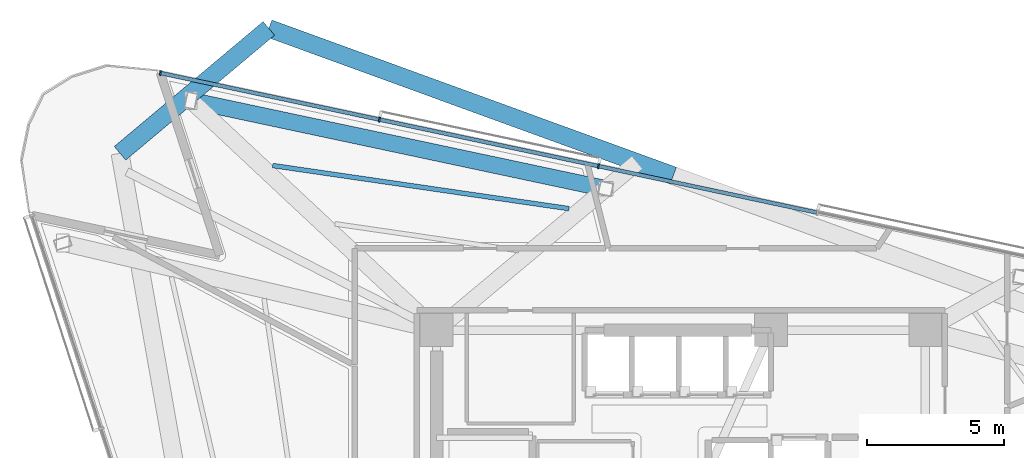
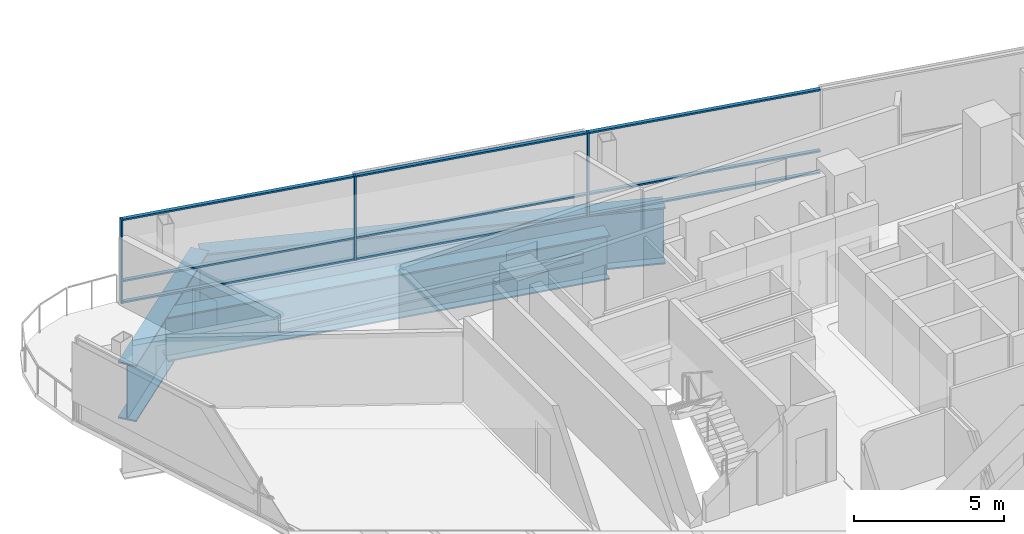
# One storey, part 7 of 17: 12 members, 4 beams, 1 element without a shape of its own.
"""IFC4 building model written with IfcOpenShell, lengths in metres."""

import ifcopenshell
import ifcopenshell.guid

model = None  # the IFC model being written
_history = None  # IfcOwnerHistory: only IFC2X3 demands one
_inside = {}  # id of a spatial element -> (the spatial element, [elements in it])
_under = {}  # id of a project, library or spatial element -> (it, [spatial elements below it])
_declared = {}  # id of a project -> (the project, [libraries it declares])
_typed = {}  # id of a type object -> (the type object, [elements of that type])
_made_of = {}  # id of a material, layer set ... -> (it, [elements and type objects made of it])


def new_model(schema):
    """Start an empty IFC model of exactly this schema.

    Asked for "IFC4X3", IfcOpenShell would pick the latest addendum, in which some entities
    have other attributes; the version numbers below select the first issue.
    IFC2X3 requires an IfcOwnerHistory on every rooted entity: one is made here for all.
    """
    global model, _history
    if schema == "IFC4X3":
        model = ifcopenshell.file(schema_version=(4, 3, 0, 0))
    else:
        model = ifcopenshell.file(schema=schema)
    _inside.clear()
    _under.clear()
    _declared.clear()
    _typed.clear()
    _made_of.clear()
    _history = None
    if model.schema == "IFC2X3":
        org = make("IfcOrganization", Name="unknown")
        user = make(
            "IfcPersonAndOrganization",
            ThePerson=make("IfcPerson", FamilyName="unknown"),
            TheOrganization=org,
        )
        app = make(
            "IfcApplication",
            ApplicationDeveloper=org,
            Version="unknown",
            ApplicationFullName="unknown",
            ApplicationIdentifier="unknown",
        )
        _history = make(
            "IfcOwnerHistory",
            OwningUser=user,
            OwningApplication=app,
            ChangeAction="ADDED",
            CreationDate=0,
        )
    return model


def make(cls, **values):
    """One entity of the class cls with the attributes given. An attribute that is None is left unset."""
    return model.create_entity(
        cls, **{name: value for name, value in values.items() if value is not None}
    )


def rooted(cls, **values):
    """An entity with a GlobalId (a new one), such as an element, a storey or a relation."""
    return make(cls, GlobalId=ifcopenshell.guid.new(), OwnerHistory=_history, **values)


def si_unit(unit_type, name, prefix=None):
    """IfcSIUnit, for example si_unit("LENGTHUNIT", "METRE", prefix="MILLI")."""
    return make("IfcSIUnit", UnitType=unit_type, Prefix=prefix, Name=name)


def assignment(units):
    """IfcUnitAssignment: the units of a project."""
    return None if units is None else make("IfcUnitAssignment", Units=units)


def point(xyz):
    """IfcCartesianPoint."""
    return None if xyz is None else make("IfcCartesianPoint", Coordinates=xyz)


def direction(xyz):
    """IfcDirection."""
    return None if xyz is None else make("IfcDirection", DirectionRatios=xyz)


def frame(location, z_axis=None, x_axis=None):
    """IfcAxis2Placement3D, a coordinate frame: its origin and axes. An axis left out is left unset."""
    return make(
        "IfcAxis2Placement3D",
        Location=point(location),
        Axis=direction(z_axis),
        RefDirection=direction(x_axis),
    )


def frame_2d(location, x_axis=None):
    """IfcAxis2Placement2D, a coordinate frame in the plane: its origin and x axis."""
    return make(
        "IfcAxis2Placement2D", Location=point(location), RefDirection=direction(x_axis)
    )


def origin():
    """The frame at (0, 0, 0) with its axes left unset."""
    return frame((0.0, 0.0, 0.0))


def origin_2d():
    """The frame at (0, 0) in the plane with its x axis left unset."""
    return frame_2d((0.0, 0.0))


def place(relative_to, where):
    """IfcLocalPlacement: puts the frame where relative to a parent placement (None: the world)."""
    return make(
        "IfcLocalPlacement", PlacementRelTo=relative_to, RelativePlacement=where
    )


def context(
    kind, dimensions, precision=None, world=None, true_north=None, identifier=None
):
    """IfcGeometricRepresentationContext, for example the 3D "Model" context."""
    return make(
        "IfcGeometricRepresentationContext",
        ContextIdentifier=identifier,
        ContextType=kind,
        CoordinateSpaceDimension=dimensions,
        Precision=precision,
        WorldCoordinateSystem=world,
        TrueNorth=true_north,
    )


def subcontext(parent, identifier, kind, view, scale=None):
    """IfcGeometricRepresentationSubContext, for example "Body" below "Model"."""
    return make(
        "IfcGeometricRepresentationSubContext",
        ContextIdentifier=identifier,
        ContextType=kind,
        ParentContext=parent,
        TargetScale=scale,
        TargetView=view,
    )


def project(units=None, contexts=None):
    """IfcProject with its units and contexts."""
    return rooted(
        "IfcProject",
        Name="project",
        RepresentationContexts=contexts,
        UnitsInContext=assignment(units),
    )


def spatial(cls, under=None, at=None, **own):
    """A site, building, storey or space (cls), placed at a placement, below another one or the project."""
    s = rooted(cls, ObjectPlacement=at, **own)
    if under is not None:
        _under.setdefault(under.id(), (under, []))[1].append(s)
    return s


def profile(cls, at=None, kind="AREA", **sizes):
    """A parametric profile (cls). Its sizes go by their IFC names, for example OverallWidth=200.0."""
    return make(cls, ProfileType=kind, Position=at, **sizes)


def rectangle(**sizes):
    """IfcRectangleProfileDef."""
    return profile("IfcRectangleProfileDef", **sizes)


def i_section(**sizes):
    """IfcIShapeProfileDef."""
    return profile("IfcIShapeProfileDef", **sizes)


def extrude(swept, where, along, depth):
    """IfcExtrudedAreaSolid: the profile swept, set in the frame where, extruded along a direction by depth."""
    return make(
        "IfcExtrudedAreaSolid",
        SweptArea=swept,
        Position=where,
        ExtrudedDirection=direction(along),
        Depth=depth,
    )


def shape(context_of_items, identifier, shape_type, items):
    """IfcShapeRepresentation: the items that make up one representation, for example the "Body"."""
    return make(
        "IfcShapeRepresentation",
        ContextOfItems=context_of_items,
        RepresentationIdentifier=identifier,
        RepresentationType=shape_type,
        Items=items,
    )


def material(Name=None, Category=None):
    """IfcMaterial."""
    return make("IfcMaterial", Name=Name, Category=Category)


def layer(
    of_material, thickness, ventilated=None, Name=None, Category=None, Priority=None
):
    """IfcMaterialLayer: one layer of a wall or slab, of a material (None: an air gap)."""
    return make(
        "IfcMaterialLayer",
        Material=of_material,
        LayerThickness=thickness,
        IsVentilated=ventilated,
        Name=Name,
        Category=Category,
        Priority=Priority,
    )


def layer_set(layers, Name=None):
    """IfcMaterialLayerSet."""
    return make("IfcMaterialLayerSet", MaterialLayers=layers, LayerSetName=Name)


def material_profile(
    of_material, cross_section, Name=None, Category=None, Priority=None
):
    """IfcMaterialProfile: a cross section and its material."""
    return make(
        "IfcMaterialProfile",
        Name=Name,
        Material=of_material,
        Profile=cross_section,
        Priority=Priority,
        Category=Category,
    )


def profile_set(profiles, Name=None, composite=None):
    """IfcMaterialProfileSet."""
    return make(
        "IfcMaterialProfileSet",
        Name=Name,
        MaterialProfiles=profiles,
        CompositeProfile=composite,
    )


def made_of(thing, what):
    """Note that an element or type object is made of a material, layer set ...; save() writes the relation."""
    if what is not None:
        _made_of.setdefault(what.id(), (what, []))[1].append(thing)
    return thing


def type_object(cls, material=None, **own):
    """A type object (cls), such as IfcWallType, which elements share."""
    return made_of(rooted(cls, **own), material)


def element(
    cls,
    number,
    at=None,
    inside=None,
    cuts=None,
    type_object=None,
    material=None,
    context=None,
    identifier="Body",
    shape_type=None,
    held_by="IfcProductDefinitionShape",
    body=None,
    shapes=None,
    **own,
):
    """One element of the class cls, such as IfcWall. Its Tag is "e" and its number.

    at: its placement. inside: the storey or other place that contains it. cuts: it is an
    opening in that element (IfcRelVoidsElement). A single representation is given by context,
    identifier, shape_type and body (its items); several are given by shapes. held_by: the class
    of the entity that holds the representations. save() writes the other relations.
    """
    e = rooted(cls, Tag="e%d" % number, ObjectPlacement=at, **own)
    if body is not None:
        shapes = [shape(context, identifier, shape_type, body)]
    if shapes is not None:
        e.Representation = make(held_by, Representations=shapes)
    if inside is not None:
        _inside.setdefault(inside.id(), (inside, []))[1].append(e)
    if cuts is not None:
        rooted(
            "IfcRelVoidsElement", RelatingBuildingElement=cuts, RelatedOpeningElement=e
        )
    if type_object is not None:
        _typed.setdefault(type_object.id(), (type_object, []))[1].append(e)
    return made_of(e, material)


def aggregate(whole, parts):
    """IfcRelAggregates: a whole, such as a stair, and the parts it consists of."""
    return rooted("IfcRelAggregates", RelatingObject=whole, RelatedObjects=parts)


def save(model, path):
    """Write the relations noted so far, then the file.

    IfcRelAggregates (storeys below a building ...), IfcRelContainedInSpatialStructure (elements
    in a storey), IfcRelDefinesByType, IfcRelAssociatesMaterial and IfcRelDeclares: one each for
    every whole, place, type object, material and project.
    """
    for whole, parts in _under.values():
        aggregate(whole, parts)
    for where, things in _inside.values():
        rooted(
            "IfcRelContainedInSpatialStructure",
            RelatedElements=things,
            RelatingStructure=where,
        )
    for kind, things in _typed.values():
        rooted("IfcRelDefinesByType", RelatedObjects=things, RelatingType=kind)
    for what, things in _made_of.values():
        rooted("IfcRelAssociatesMaterial", RelatedObjects=things, RelatingMaterial=what)
    for by, libraries in _declared.values():
        rooted("IfcRelDeclares", RelatingContext=by, RelatedDefinitions=libraries)
    model.write(path)


model = new_model("IFC4")

# Units and contexts
model_context = context("Model", 3, precision=1e-05, world=origin(), true_north=direction((0.0, 1.0)))
body_context = subcontext(model_context, "Body", "Model", "MODEL_VIEW")
ifc_project = project(units=[si_unit("LENGTHUNIT", "METRE"), si_unit("AREAUNIT", "SQUARE_METRE"), si_unit("VOLUMEUNIT", "CUBIC_METRE"), si_unit("PLANEANGLEUNIT", "RADIAN"), si_unit("MASSUNIT", "GRAM", prefix="KILO")], contexts=[model_context])

# Site, building, storey
site_placement = place(None, origin())
site = spatial("IfcSite", under=ifc_project, at=site_placement, CompositionType="ELEMENT")
building_placement = place(site_placement, origin())
building = spatial("IfcBuilding", under=site, at=building_placement, Name="Tharavind Bronze Gate", CompositionType="ELEMENT")
storey_placement = place(building_placement, frame((0.0, 0.0, 196.85009765625)))
storey = spatial("IfcBuildingStorey", under=building, at=storey_placement, Name="L50", CompositionType="ELEMENT", Elevation=196.85009765625)

# Curtain wall, members
ifc_material_1 = material(Name="Anodised Bronze Aluminium", Category="aluminium")
ifc_layer = layer(ifc_material_1, 0.219970703125)
ifc_layer_set = layer_set([ifc_layer], Name="Anodised Bronze Aluminium")
curtain_wall_type = type_object("IfcCurtainWallType", Name="UNITISED CURTAIN WALL MID OFFICE", PredefinedType="USERDEFINED", material=ifc_layer_set)
curtain_wall_placement = place(storey_placement, origin())
curtain_wall = element("IfcCurtainWall", 1, at=curtain_wall_placement, inside=storey, type_object=curtain_wall_type, Name="L50 unitised curtain wall mid office CW-L50-S3", ObjectType="UNITISED CURTAIN WALL", PredefinedType="USERDEFINED")
member_type_1 = type_object("IfcMemberType", Name="CURTAIN WALL BRONZE MULLION 65X180", PredefinedType="MULLION", material=ifc_material_1)
member_1_placement = place(storey_placement, frame((-3.004638671875, 13.576416015625, 0.0), z_axis=(0.0, 0.0, 1.0), x_axis=(-0.978147600734, 0.207911690818, 0.0)))
member_1 = element("IfcMember", 2, at=member_1_placement, type_object=member_type_1, Name="CW-L50-S3 mullion 5", PredefinedType="MULLION", context=body_context, shape_type="SweptSolid", body=[
    extrude(rectangle(XDim=0.06494140625, YDim=0.179931640625, at=origin_2d()), origin(), (0.0, 0.0, 1.0), 3.419921875),
])
member_2_placement = place(storey_placement, frame((-10.982177734375, 15.27197265625, 0.0), z_axis=(0.0, 0.0, 1.0), x_axis=(-0.978147600734, 0.207911690818, 0.0)))
member_2 = element("IfcMember", 3, at=member_2_placement, type_object=member_type_1, Name="CW-L50-S3 mullion 6", PredefinedType="MULLION", context=body_context, shape_type="SweptSolid", body=[
    extrude(rectangle(XDim=0.06494140625, YDim=0.179931640625, at=origin_2d()), origin(), (0.0, 0.0, 1.0), 3.419921875),
])
member_3_placement = place(storey_placement, frame((-18.959716796875, 16.967529296875, 0.0), z_axis=(0.0, 0.0, 1.0), x_axis=(-0.978147600734, 0.207911690818, 0.0)))
member_3 = element("IfcMember", 4, at=member_3_placement, type_object=member_type_1, Name="CW-L50-S3 mullion 7", PredefinedType="MULLION", context=body_context, shape_type="SweptSolid", body=[
    extrude(rectangle(XDim=0.06494140625, YDim=0.179931640625, at=origin_2d()), origin(), (0.0, 0.0, 1.0), 3.419921875),
])
member_type_2 = type_object("IfcMemberType", Name="CURTAIN WALL BRONZE TRANSOM 65X140", PredefinedType="USERDEFINED", material=ifc_material_1)
member_4_placement = place(storey_placement, frame((0.98388671875, 12.728515625, 0.0), z_axis=(0.0, 0.0, 1.0), x_axis=(-0.978147600734, 0.207911690818, 0.0)))
member_4 = element("IfcMember", 5, at=member_4_placement, type_object=member_type_2, Name="CW-L50-S3 transom TB4", ObjectType="TRANSOM", PredefinedType="USERDEFINED", context=body_context, shape_type="SweptSolid", body=[
    extrude(rectangle(XDim=8.102783203125, YDim=0.139892578125, at=origin_2d()), origin(), (0.0, 0.0, 1.0), 0.06494140625),
])
member_5_placement = place(storey_placement, frame((0.98388671875, 12.728515625, 0.867431640625), z_axis=(0.0, 0.0, 1.0), x_axis=(-0.978147600734, 0.207911690818, 0.0)))
member_5 = element("IfcMember", 6, at=member_5_placement, type_object=member_type_2, Name="CW-L50-S3 transom TS4", ObjectType="TRANSOM", PredefinedType="USERDEFINED", context=body_context, shape_type="SweptSolid", body=[
    extrude(rectangle(XDim=8.102783203125, YDim=0.139892578125, at=origin_2d()), origin(), (0.0, 0.0, 1.0), 0.06494140625),
])
member_6_placement = place(storey_placement, frame((0.98388671875, 12.728515625, 3.35498046875), z_axis=(0.0, 0.0, 1.0), x_axis=(-0.978147600734, 0.207911690818, 0.0)))
member_6 = element("IfcMember", 7, at=member_6_placement, type_object=member_type_2, Name="CW-L50-S3 transom TT4", ObjectType="TRANSOM", PredefinedType="USERDEFINED", context=body_context, shape_type="SweptSolid", body=[
    extrude(rectangle(XDim=8.102783203125, YDim=0.139892578125, at=origin_2d()), origin(), (0.0, 0.0, 1.0), 0.06494140625),
])
member_7_placement = place(storey_placement, frame((-6.993408203125, 14.424072265625, 0.0), z_axis=(0.0, 0.0, 1.0), x_axis=(-0.978147600734, 0.207911690818, 0.0)))
member_7 = element("IfcMember", 8, at=member_7_placement, type_object=member_type_2, Name="CW-L50-S3 transom TB5", ObjectType="TRANSOM", PredefinedType="USERDEFINED", context=body_context, shape_type="SweptSolid", body=[
    extrude(rectangle(XDim=8.102783203125, YDim=0.139892578125, at=origin_2d()), origin(), (0.0, 0.0, 1.0), 0.06494140625),
])
member_8_placement = place(storey_placement, frame((-6.993408203125, 14.424072265625, 0.867431640625), z_axis=(0.0, 0.0, 1.0), x_axis=(-0.978147600734, 0.207911690818, 0.0)))
member_8 = element("IfcMember", 9, at=member_8_placement, type_object=member_type_2, Name="CW-L50-S3 transom TS5", ObjectType="TRANSOM", PredefinedType="USERDEFINED", context=body_context, shape_type="SweptSolid", body=[
    extrude(rectangle(XDim=8.102783203125, YDim=0.139892578125, at=origin_2d()), origin(), (0.0, 0.0, 1.0), 0.06494140625),
])
member_9_placement = place(storey_placement, frame((-6.993408203125, 14.424072265625, 3.35498046875), z_axis=(0.0, 0.0, 1.0), x_axis=(-0.978147600734, 0.207911690818, 0.0)))
member_9 = element("IfcMember", 10, at=member_9_placement, type_object=member_type_2, Name="CW-L50-S3 transom TT5", ObjectType="TRANSOM", PredefinedType="USERDEFINED", context=body_context, shape_type="SweptSolid", body=[
    extrude(rectangle(XDim=8.102783203125, YDim=0.139892578125, at=origin_2d()), origin(), (0.0, 0.0, 1.0), 0.06494140625),
])
member_10_placement = place(storey_placement, frame((-14.970947265625, 16.119873046875, 0.0), z_axis=(0.0, 0.0, 1.0), x_axis=(-0.978147600734, 0.207911690818, 0.0)))
member_10 = element("IfcMember", 11, at=member_10_placement, type_object=member_type_2, Name="CW-L50-S3 transom TB6", ObjectType="TRANSOM", PredefinedType="USERDEFINED", context=body_context, shape_type="SweptSolid", body=[
    extrude(rectangle(XDim=8.102783203125, YDim=0.139892578125, at=origin_2d()), origin(), (0.0, 0.0, 1.0), 0.06494140625),
])
member_11_placement = place(storey_placement, frame((-14.970947265625, 16.119873046875, 0.867431640625), z_axis=(0.0, 0.0, 1.0), x_axis=(-0.978147600734, 0.207911690818, 0.0)))
member_11 = element("IfcMember", 12, at=member_11_placement, type_object=member_type_2, Name="CW-L50-S3 transom TS6", ObjectType="TRANSOM", PredefinedType="USERDEFINED", context=body_context, shape_type="SweptSolid", body=[
    extrude(rectangle(XDim=8.102783203125, YDim=0.139892578125, at=origin_2d()), origin(), (0.0, 0.0, 1.0), 0.06494140625),
])
member_12_placement = place(storey_placement, frame((-14.970947265625, 16.119873046875, 3.35498046875), z_axis=(0.0, 0.0, 1.0), x_axis=(-0.978147600734, 0.207911690818, 0.0)))
member_12 = element("IfcMember", 13, at=member_12_placement, type_object=member_type_2, Name="CW-L50-S3 transom TT6", ObjectType="TRANSOM", PredefinedType="USERDEFINED", context=body_context, shape_type="SweptSolid", body=[
    extrude(rectangle(XDim=8.102783203125, YDim=0.139892578125, at=origin_2d()), origin(), (0.0, 0.0, 1.0), 0.06494140625),
])
aggregate(curtain_wall, [member_1, member_2, member_3, member_4, member_5, member_6, member_7, member_8, member_9, member_10, member_11, member_12])

# Beams
ifc_material_2 = material(Name="Steel S355", Category="steel")
ifc_material_profile_1 = material_profile(ifc_material_2, i_section(OverallWidth=0.169921875, OverallDepth=0.360107421875, WebThickness=0.008056640625, FlangeThickness=0.0126953125, at=origin_2d()), Name="IPE360")
ifc_profile_set_1 = profile_set([ifc_material_profile_1], Name="Steel S355")
beam_type_1 = type_object("IfcBeamType", Name="SECONDARY FLOOR JOIST IPE360", PredefinedType="JOIST", material=ifc_profile_set_1)
beam_1_placement = place(storey_placement, frame((-4.07666015625, 12.027587890625, -0.3701171875), z_axis=(-0.989580063068, 0.143983675391, 0.0), x_axis=(-0.143983675391, -0.989580063068, 0.0)))
element("IfcBeam", 14, at=beam_1_placement, inside=storey, type_object=beam_type_1, Name="L50 secondary floor joist ipe360 BM-L50-JSTB11", PredefinedType="JOIST", context=body_context, shape_type="SweptSolid", body=[
    extrude(i_section(OverallWidth=0.169921875, OverallDepth=0.360107421875, WebThickness=0.008056640625, FlangeThickness=0.0126953125, at=origin_2d()), origin(), (0.0, 0.0, 1.0), 10.90966796875),
])
ifc_material_3 = material(Name="Steel S460", Category="steel")
ifc_material_profile_2 = material_profile(ifc_material_3, i_section(OverallWidth=0.60009765625, OverallDepth=1.800048828125, WebThickness=0.031982421875, FlangeThickness=0.054931640625, at=origin_2d()), Name="PG1800X600")
ifc_profile_set_2 = profile_set([ifc_material_profile_2], Name="Steel S460")
beam_type_2 = type_object("IfcBeamType", Name="TRANSFER GIRDER 1800X600", PredefinedType="USERDEFINED", material=ifc_profile_set_2)
beam_2_placement = place(storey_placement, frame((-2.737060546875, 12.752685546875, -1.090087890625), z_axis=(-0.978148967388, 0.207905261111, 0.0), x_axis=(-0.207905261111, -0.978148967388, 0.0)))
element("IfcBeam", 15, at=beam_2_placement, inside=storey, type_object=beam_type_2, Name="L50 transfer girder 1800x600 BM-L50-URG11", ObjectType="TRANSFER GIRDER", PredefinedType="USERDEFINED", context=body_context, shape_type="SweptSolid", body=[
    extrude(i_section(OverallWidth=0.60009765625, OverallDepth=1.800048828125, WebThickness=0.031982421875, FlangeThickness=0.054931640625, at=origin_2d()), origin(), (0.0, 0.0, 1.0), 15.4453125),
])
ifc_material_profile_3 = material_profile(ifc_material_3, i_section(OverallWidth=0.64990234375, OverallDepth=2.300048828125, WebThickness=0.035888671875, FlangeThickness=0.05810546875, at=origin_2d()), Name="PG2300X650")
ifc_profile_set_3 = profile_set([ifc_material_profile_3], Name="Steel S460")
beam_type_3 = type_object("IfcBeamType", Name="TRANSFER GIRDER 2300X650", PredefinedType="USERDEFINED", material=ifc_profile_set_3)
beam_3_placement = place(storey_placement, frame((-0.27392578125, 13.231201171875, -1.340087890625), z_axis=(-0.939692918618, 0.342019325037, 0.0), x_axis=(-0.342019325037, -0.939692918618, 0.0)))
element("IfcBeam", 16, at=beam_3_placement, inside=storey, type_object=beam_type_3, Name="L50 transfer girder 2300x650 BM-L50-LRG11", ObjectType="TRANSFER GIRDER", PredefinedType="USERDEFINED", context=body_context, shape_type="SweptSolid", body=[
    extrude(i_section(OverallWidth=0.64990234375, OverallDepth=2.300048828125, WebThickness=0.035888671875, FlangeThickness=0.05810546875, at=origin_2d()), origin(), (0.0, 0.0, 1.0), 15.680419921875),
])
beam_4_placement = place(storey_placement, frame((-15.0087890625, 18.59423828125, -1.340087890625), z_axis=(-0.766051869817, -0.642778758789, 0.0), x_axis=(0.642778758789, -0.766051869817, 0.0)))
element("IfcBeam", 17, at=beam_4_placement, inside=storey, type_object=beam_type_3, Name="L50 transfer girder 2300x650 BM-L50-LRG12", ObjectType="TRANSFER GIRDER", PredefinedType="USERDEFINED", context=body_context, shape_type="SweptSolid", body=[
    extrude(i_section(OverallWidth=0.64990234375, OverallDepth=2.300048828125, WebThickness=0.035888671875, FlangeThickness=0.05810546875, at=origin_2d()), origin(), (0.0, 0.0, 1.0), 7.080322265625),
])

save(model, "model.ifc")
